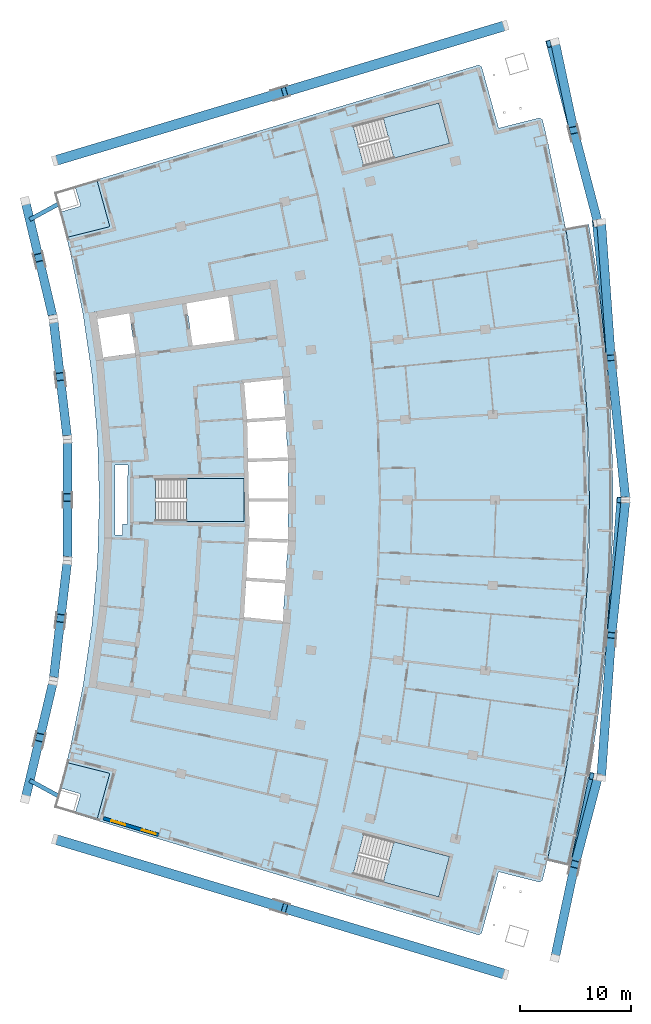
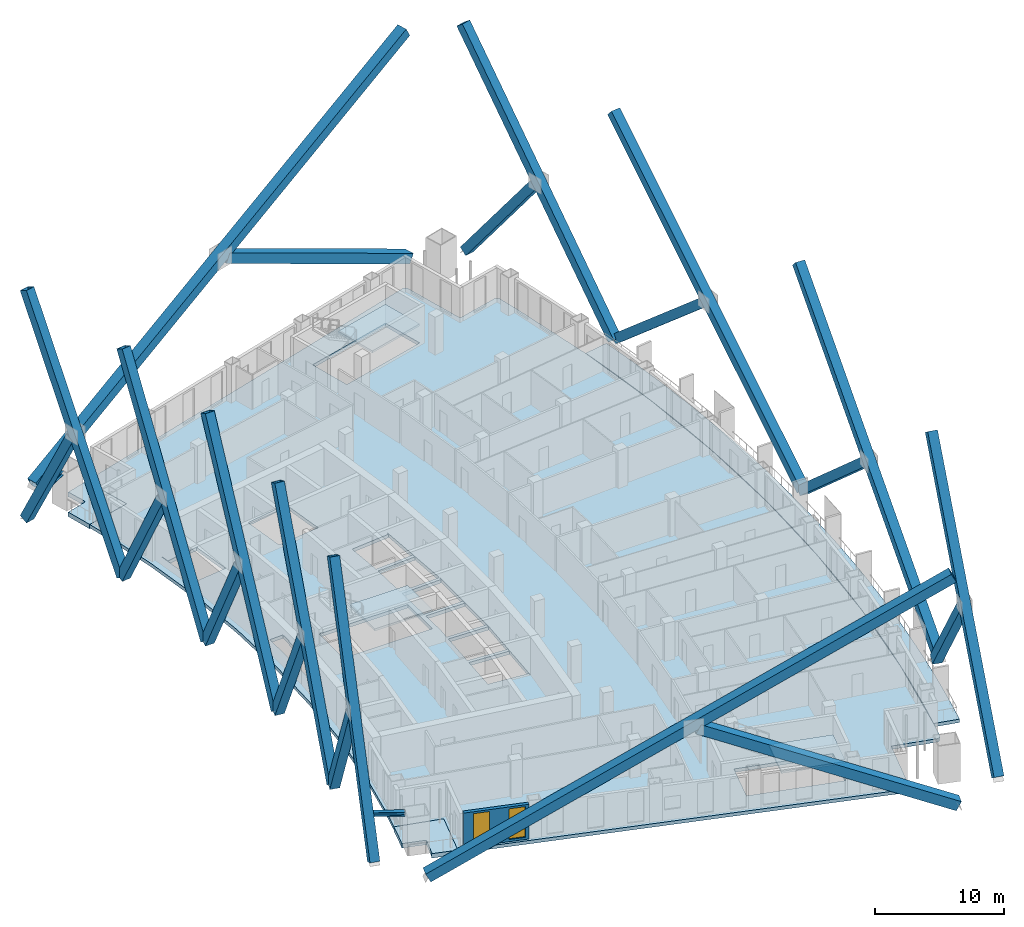
# One storey, part 10 of 22: 24 members, 7 slabs, 2 windows, 1 wall, 2 openings, 3 elements without a shape of their own.
"""IFC4 building model written with IfcOpenShell, lengths in metres."""

import ifcopenshell
import ifcopenshell.guid

model = None  # the IFC model being written
_history = None  # IfcOwnerHistory: only IFC2X3 demands one
_inside = {}  # id of a spatial element -> (the spatial element, [elements in it])
_under = {}  # id of a project, library or spatial element -> (it, [spatial elements below it])
_declared = {}  # id of a project -> (the project, [libraries it declares])
_typed = {}  # id of a type object -> (the type object, [elements of that type])
_made_of = {}  # id of a material, layer set ... -> (it, [elements and type objects made of it])


def new_model(schema):
    """Start an empty IFC model of exactly this schema.

    Asked for "IFC4X3", IfcOpenShell would pick the latest addendum, in which some entities
    have other attributes; the version numbers below select the first issue.
    IFC2X3 requires an IfcOwnerHistory on every rooted entity: one is made here for all.
    """
    global model, _history
    if schema == "IFC4X3":
        model = ifcopenshell.file(schema_version=(4, 3, 0, 0))
    else:
        model = ifcopenshell.file(schema=schema)
    _inside.clear()
    _under.clear()
    _declared.clear()
    _typed.clear()
    _made_of.clear()
    _history = None
    if model.schema == "IFC2X3":
        org = make("IfcOrganization", Name="unknown")
        user = make(
            "IfcPersonAndOrganization",
            ThePerson=make("IfcPerson", FamilyName="unknown"),
            TheOrganization=org,
        )
        app = make(
            "IfcApplication",
            ApplicationDeveloper=org,
            Version="unknown",
            ApplicationFullName="unknown",
            ApplicationIdentifier="unknown",
        )
        _history = make(
            "IfcOwnerHistory",
            OwningUser=user,
            OwningApplication=app,
            ChangeAction="ADDED",
            CreationDate=0,
        )
    return model


def make(cls, **values):
    """One entity of the class cls with the attributes given. An attribute that is None is left unset."""
    return model.create_entity(
        cls, **{name: value for name, value in values.items() if value is not None}
    )


def rooted(cls, **values):
    """An entity with a GlobalId (a new one), such as an element, a storey or a relation."""
    return make(cls, GlobalId=ifcopenshell.guid.new(), OwnerHistory=_history, **values)


def si_unit(unit_type, name, prefix=None):
    """IfcSIUnit, for example si_unit("LENGTHUNIT", "METRE", prefix="MILLI")."""
    return make("IfcSIUnit", UnitType=unit_type, Prefix=prefix, Name=name)


def assignment(units):
    """IfcUnitAssignment: the units of a project."""
    return None if units is None else make("IfcUnitAssignment", Units=units)


def point(xyz):
    """IfcCartesianPoint."""
    return None if xyz is None else make("IfcCartesianPoint", Coordinates=xyz)


def direction(xyz):
    """IfcDirection."""
    return None if xyz is None else make("IfcDirection", DirectionRatios=xyz)


def frame(location, z_axis=None, x_axis=None):
    """IfcAxis2Placement3D, a coordinate frame: its origin and axes. An axis left out is left unset."""
    return make(
        "IfcAxis2Placement3D",
        Location=point(location),
        Axis=direction(z_axis),
        RefDirection=direction(x_axis),
    )


def frame_2d(location, x_axis=None):
    """IfcAxis2Placement2D, a coordinate frame in the plane: its origin and x axis."""
    return make(
        "IfcAxis2Placement2D", Location=point(location), RefDirection=direction(x_axis)
    )


def origin():
    """The frame at (0, 0, 0) with its axes left unset."""
    return frame((0.0, 0.0, 0.0))


def origin_2d():
    """The frame at (0, 0) in the plane with its x axis left unset."""
    return frame_2d((0.0, 0.0))


def place(relative_to, where):
    """IfcLocalPlacement: puts the frame where relative to a parent placement (None: the world)."""
    return make(
        "IfcLocalPlacement", PlacementRelTo=relative_to, RelativePlacement=where
    )


def context(
    kind, dimensions, precision=None, world=None, true_north=None, identifier=None
):
    """IfcGeometricRepresentationContext, for example the 3D "Model" context."""
    return make(
        "IfcGeometricRepresentationContext",
        ContextIdentifier=identifier,
        ContextType=kind,
        CoordinateSpaceDimension=dimensions,
        Precision=precision,
        WorldCoordinateSystem=world,
        TrueNorth=true_north,
    )


def subcontext(parent, identifier, kind, view, scale=None):
    """IfcGeometricRepresentationSubContext, for example "Body" below "Model"."""
    return make(
        "IfcGeometricRepresentationSubContext",
        ContextIdentifier=identifier,
        ContextType=kind,
        ParentContext=parent,
        TargetScale=scale,
        TargetView=view,
    )


def project(units=None, contexts=None):
    """IfcProject with its units and contexts."""
    return rooted(
        "IfcProject",
        Name="project",
        RepresentationContexts=contexts,
        UnitsInContext=assignment(units),
    )


def spatial(cls, under=None, at=None, **own):
    """A site, building, storey or space (cls), placed at a placement, below another one or the project."""
    s = rooted(cls, ObjectPlacement=at, **own)
    if under is not None:
        _under.setdefault(under.id(), (under, []))[1].append(s)
    return s


def polyline(points):
    """IfcPolyline through the points."""
    return make("IfcPolyline", Points=[point(p) for p in points])


def profile(cls, at=None, kind="AREA", **sizes):
    """A parametric profile (cls). Its sizes go by their IFC names, for example OverallWidth=200.0."""
    return make(cls, ProfileType=kind, Position=at, **sizes)


def rectangle(**sizes):
    """IfcRectangleProfileDef."""
    return profile("IfcRectangleProfileDef", **sizes)


def hollow_rectangle(**sizes):
    """IfcRectangleHollowProfileDef."""
    return profile("IfcRectangleHollowProfileDef", **sizes)


def i_section(**sizes):
    """IfcIShapeProfileDef."""
    return profile("IfcIShapeProfileDef", **sizes)


def outline(outer, holes=None, kind="AREA"):
    """IfcArbitraryClosedProfileDef: a profile drawn as a closed curve; with holes, ...WithVoids."""
    if holes is None:
        return make("IfcArbitraryClosedProfileDef", ProfileType=kind, OuterCurve=outer)
    return make(
        "IfcArbitraryProfileDefWithVoids",
        ProfileType=kind,
        OuterCurve=outer,
        InnerCurves=holes,
    )


def extrude(swept, where, along, depth):
    """IfcExtrudedAreaSolid: the profile swept, set in the frame where, extruded along a direction by depth."""
    return make(
        "IfcExtrudedAreaSolid",
        SweptArea=swept,
        Position=where,
        ExtrudedDirection=direction(along),
        Depth=depth,
    )


def shape(context_of_items, identifier, shape_type, items):
    """IfcShapeRepresentation: the items that make up one representation, for example the "Body"."""
    return make(
        "IfcShapeRepresentation",
        ContextOfItems=context_of_items,
        RepresentationIdentifier=identifier,
        RepresentationType=shape_type,
        Items=items,
    )


def material(Name=None, Category=None):
    """IfcMaterial."""
    return make("IfcMaterial", Name=Name, Category=Category)


def layer(
    of_material, thickness, ventilated=None, Name=None, Category=None, Priority=None
):
    """IfcMaterialLayer: one layer of a wall or slab, of a material (None: an air gap)."""
    return make(
        "IfcMaterialLayer",
        Material=of_material,
        LayerThickness=thickness,
        IsVentilated=ventilated,
        Name=Name,
        Category=Category,
        Priority=Priority,
    )


def layer_set(layers, Name=None):
    """IfcMaterialLayerSet."""
    return make("IfcMaterialLayerSet", MaterialLayers=layers, LayerSetName=Name)


def material_profile(
    of_material, cross_section, Name=None, Category=None, Priority=None
):
    """IfcMaterialProfile: a cross section and its material."""
    return make(
        "IfcMaterialProfile",
        Name=Name,
        Material=of_material,
        Profile=cross_section,
        Priority=Priority,
        Category=Category,
    )


def profile_set(profiles, Name=None, composite=None):
    """IfcMaterialProfileSet."""
    return make(
        "IfcMaterialProfileSet",
        Name=Name,
        MaterialProfiles=profiles,
        CompositeProfile=composite,
    )


def made_of(thing, what):
    """Note that an element or type object is made of a material, layer set ...; save() writes the relation."""
    if what is not None:
        _made_of.setdefault(what.id(), (what, []))[1].append(thing)
    return thing


def type_object(cls, material=None, **own):
    """A type object (cls), such as IfcWallType, which elements share."""
    return made_of(rooted(cls, **own), material)


def element(
    cls,
    number,
    at=None,
    inside=None,
    cuts=None,
    type_object=None,
    material=None,
    context=None,
    identifier="Body",
    shape_type=None,
    held_by="IfcProductDefinitionShape",
    body=None,
    shapes=None,
    **own,
):
    """One element of the class cls, such as IfcWall. Its Tag is "e" and its number.

    at: its placement. inside: the storey or other place that contains it. cuts: it is an
    opening in that element (IfcRelVoidsElement). A single representation is given by context,
    identifier, shape_type and body (its items); several are given by shapes. held_by: the class
    of the entity that holds the representations. save() writes the other relations.
    """
    e = rooted(cls, Tag="e%d" % number, ObjectPlacement=at, **own)
    if body is not None:
        shapes = [shape(context, identifier, shape_type, body)]
    if shapes is not None:
        e.Representation = make(held_by, Representations=shapes)
    if inside is not None:
        _inside.setdefault(inside.id(), (inside, []))[1].append(e)
    if cuts is not None:
        rooted(
            "IfcRelVoidsElement", RelatingBuildingElement=cuts, RelatedOpeningElement=e
        )
    if type_object is not None:
        _typed.setdefault(type_object.id(), (type_object, []))[1].append(e)
    return made_of(e, material)


def fill(opening, filler):
    """IfcRelFillsElement: the door or window that sits in an opening."""
    return rooted(
        "IfcRelFillsElement",
        RelatingOpeningElement=opening,
        RelatedBuildingElement=filler,
    )


def aggregate(whole, parts):
    """IfcRelAggregates: a whole, such as a stair, and the parts it consists of."""
    return rooted("IfcRelAggregates", RelatingObject=whole, RelatedObjects=parts)


def save(model, path):
    """Write the relations noted so far, then the file.

    IfcRelAggregates (storeys below a building ...), IfcRelContainedInSpatialStructure (elements
    in a storey), IfcRelDefinesByType, IfcRelAssociatesMaterial and IfcRelDeclares: one each for
    every whole, place, type object, material and project.
    """
    for whole, parts in _under.values():
        aggregate(whole, parts)
    for where, things in _inside.values():
        rooted(
            "IfcRelContainedInSpatialStructure",
            RelatedElements=things,
            RelatingStructure=where,
        )
    for kind, things in _typed.values():
        rooted("IfcRelDefinesByType", RelatedObjects=things, RelatingType=kind)
    for what, things in _made_of.values():
        rooted("IfcRelAssociatesMaterial", RelatedObjects=things, RelatingMaterial=what)
    for by, libraries in _declared.values():
        rooted("IfcRelDeclares", RelatingContext=by, RelatedDefinitions=libraries)
    model.write(path)


model = new_model("IFC4")

# Units and contexts
model_context = context("Model", 3, precision=1e-05, world=origin(), true_north=direction((0.0, 1.0)))
body_context = subcontext(model_context, "Body", "Model", "MODEL_VIEW")
ifc_project = project(units=[si_unit("LENGTHUNIT", "METRE"), si_unit("AREAUNIT", "SQUARE_METRE"), si_unit("VOLUMEUNIT", "CUBIC_METRE"), si_unit("PLANEANGLEUNIT", "RADIAN"), si_unit("MASSUNIT", "GRAM", prefix="KILO")], contexts=[model_context])

# Site, building, storey
site_placement = place(None, origin())
site = spatial("IfcSite", under=ifc_project, at=site_placement, CompositionType="ELEMENT")
building_placement = place(site_placement, origin())
building = spatial("IfcBuilding", under=site, at=building_placement, Name="Alderwake Tower", CompositionType="ELEMENT")
storey_placement = place(building_placement, frame((0.0, 0.0, 160.39990234375)))
storey = spatial("IfcBuildingStorey", under=building, at=storey_placement, Name="L39", CompositionType="ELEMENT", Elevation=160.39990234375)

# Members
ifc_material_1 = material(Name="Steel ASTM A992 Grade 50", Category="steel")
ifc_material_profile_1 = material_profile(ifc_material_1, i_section(OverallWidth=0.3740234375, OverallDepth=0.372314453125, WebThickness=0.016357421875, FlangeThickness=0.026123046875, at=origin_2d()), Name="W14X132")
ifc_profile_set_1 = profile_set([ifc_material_profile_1], Name="Steel ASTM A992 Grade 50")
member_type_1 = type_object("IfcMemberType", Name="Brace node stub W14X132", PredefinedType="MEMBER", material=ifc_profile_set_1)
for number, where, z_axis, x_axis, name in (
    (1, (12.305908203125, 34.4482421875, 3.393798828125), (-0.878617607104, 0.477526020743, 0.0), (-0.477526020743, -0.878617607104, 0.0), "Brace node stub BS.RR02-C0.1640"),
    (2, (12.305908203125, 87.5517578125, 3.393798828125), (-0.878617607104, -0.477526020743, 0.0), (0.477526020743, -0.878617607104, 0.0), "Brace node stub BS.RR12-C0.1640"),
):
    element("IfcMember", number, at=place(storey_placement, frame(where, z_axis=z_axis, x_axis=x_axis)), inside=storey, type_object=member_type_1, Name=name, PredefinedType="MEMBER", context=body_context, shape_type="SweptSolid", body=[
        extrude(i_section(OverallWidth=0.3740234375, OverallDepth=0.372314453125, WebThickness=0.016357421875, FlangeThickness=0.026123046875, at=origin_2d()), origin(), (0.0, 0.0, 1.0), 2.903564453125),
    ])
ifc_material_2 = material(Name="Steel ASTM A572 Grade 50", Category="steel")
ifc_material_profile_2 = material_profile(ifc_material_2, hollow_rectangle(XDim=0.89990234375, YDim=0.89990234375, WallThickness=0.054931640625, at=origin_2d()), Name="BOX 900X900X55")
ifc_profile_set_2 = profile_set([ifc_material_profile_2], Name="Steel ASTM A572 Grade 50")
member_type_2 = type_object("IfcMemberType", Name="Mega brace end Z3", PredefinedType="BRACE", material=ifc_profile_set_2)
member_1_placement = place(storey_placement, frame((12.031005859375, 30.550537109375, 0.0), z_axis=(0.850877396382, -0.255455723939, 0.459075189303), x_axis=(0.287546675671, 0.957766625703, 0.0)))
element("IfcMember", 3, at=member_1_placement, inside=storey, type_object=member_type_2, Name="Brace BRS3.2.0A", PredefinedType="BRACE", context=body_context, shape_type="SweptSolid", body=[
    extrude(hollow_rectangle(XDim=0.89990234375, YDim=0.89990234375, WallThickness=0.054931640625, at=origin_2d()), origin(), (0.0, 0.0, 1.0), 47.05126953125),
])
member_2_placement = place(storey_placement, frame((52.448974609375, 18.416015625, 0.0), z_axis=(-0.852571874721, 0.255964703714, 0.455635017188), x_axis=(-0.287546936295, -0.957766547457, 0.0)))
element("IfcMember", 4, at=member_2_placement, inside=storey, type_object=member_type_2, Name="Brace BRS3.2.0B1", PredefinedType="BRACE", context=body_context, shape_type="SweptSolid", body=[
    extrude(hollow_rectangle(XDim=0.89990234375, YDim=0.89990234375, WallThickness=0.054931640625, at=origin_2d()), origin(), (0.0, 0.0, 1.0), 23.258544921875),
])
member_3_placement = place(storey_placement, frame((12.031005859375, 91.449462890625, 0.0), z_axis=(0.850877396382, 0.255455723939, 0.459075189303), x_axis=(-0.287546675671, 0.957766625703, 0.0)))
element("IfcMember", 5, at=member_3_placement, inside=storey, type_object=member_type_2, Name="Brace BRN3.2.0A", PredefinedType="BRACE", context=body_context, shape_type="SweptSolid", body=[
    extrude(hollow_rectangle(XDim=0.89990234375, YDim=0.89990234375, WallThickness=0.054931640625, at=origin_2d()), origin(), (0.0, 0.0, 1.0), 47.05126953125),
])
member_4_placement = place(storey_placement, frame((52.448974609375, 103.583984375, 0.0), z_axis=(-0.852571874721, -0.255964703714, 0.455635017188), x_axis=(0.287546936295, -0.957766547457, 0.0)))
element("IfcMember", 6, at=member_4_placement, inside=storey, type_object=member_type_2, Name="Brace BRN3.2.0B1", PredefinedType="BRACE", context=body_context, shape_type="SweptSolid", body=[
    extrude(hollow_rectangle(XDim=0.89990234375, YDim=0.89990234375, WallThickness=0.054931640625, at=origin_2d()), origin(), (0.0, 0.0, 1.0), 23.258544921875),
])
ifc_material_3 = material(Name="Steel ASTM A572 Grade 50", Category="steel")
ifc_material_profile_3 = material_profile(ifc_material_3, hollow_rectangle(XDim=0.800048828125, YDim=0.800048828125, WallThickness=0.050048828125, at=origin_2d()), Name="BOX 800X800X50")
ifc_profile_set_3 = profile_set([ifc_material_profile_3], Name="Steel ASTM A572 Grade 50")
member_type_3 = type_object("IfcMemberType", Name="Mega brace face Z3", PredefinedType="BRACE", material=ifc_profile_set_3)
member_5_placement = place(storey_placement, frame((56.9013671875, 19.898193359375, 0.0), z_axis=(0.126844587386, 0.597142671495, 0.792042347688), x_axis=(-0.978174911348, 0.20778316296, 0.0)))
element("IfcMember", 7, at=member_5_placement, inside=storey, type_object=member_type_3, Name="Brace BRF3.2.2A", PredefinedType="BRACE", context=body_context, shape_type="SweptSolid", body=[
    extrude(hollow_rectangle(XDim=0.800048828125, YDim=0.800048828125, WallThickness=0.050048828125, at=origin_2d()), origin(), (0.0, 0.0, 1.0), 27.271484375),
])
member_6_placement = place(storey_placement, frame((60.7548828125, 36.11328125, 0.0), z_axis=(-0.155364402828, -0.590351541103, 0.792052372165), x_axis=(0.967071015871, -0.254506680193, 0.0)))
element("IfcMember", 8, at=member_6_placement, inside=storey, type_object=member_type_3, Name="Brace BRF3.2.2B1", PredefinedType="BRACE", context=body_context, shape_type="SweptSolid", body=[
    extrude(hollow_rectangle(XDim=0.800048828125, YDim=0.800048828125, WallThickness=0.050048828125, at=origin_2d()), origin(), (0.0, 0.0, 1.0), 13.24072265625),
])
member_7_placement = place(storey_placement, frame((61.048095703125, 36.0615234375, 0.0), z_axis=(0.054066074488, 0.754782202651, 0.653743593583), x_axis=(-0.997444305102, 0.071448290524, 0.0)))
element("IfcMember", 9, at=member_7_placement, inside=storey, type_object=member_type_3, Name="Brace BRF3.2.4A", PredefinedType="BRACE", context=body_context, shape_type="SweptSolid", body=[
    extrude(hollow_rectangle(XDim=0.800048828125, YDim=0.800048828125, WallThickness=0.050048828125, at=origin_2d()), origin(), (0.0, 0.0, 1.0), 33.04052734375),
])
member_8_placement = place(storey_placement, frame((63.23583984375, 61.0, 0.0), z_axis=(-0.078180965824, -0.75266769188, 0.653742366826), x_axis=(0.994648587114, -0.103315962721, 0.0)))
element("IfcMember", 10, at=member_8_placement, inside=storey, type_object=member_type_3, Name="Brace BRF3.2.4B1", PredefinedType="BRACE", context=body_context, shape_type="SweptSolid", body=[
    extrude(hollow_rectangle(XDim=0.800048828125, YDim=0.800048828125, WallThickness=0.050048828125, at=origin_2d()), origin(), (0.0, 0.0, 1.0), 16.13525390625),
])
member_9_placement = place(storey_placement, frame((63.23583984375, 61.0, 0.0), z_axis=(-0.07817661212, 0.752667869922, 0.653742682487), x_axis=(-0.994649180847, -0.103310246543, 0.0)))
element("IfcMember", 11, at=member_9_placement, inside=storey, type_object=member_type_3, Name="Brace BRF3.2.7A", PredefinedType="BRACE", context=body_context, shape_type="SweptSolid", body=[
    extrude(hollow_rectangle(XDim=0.800048828125, YDim=0.800048828125, WallThickness=0.050048828125, at=origin_2d()), origin(), (0.0, 0.0, 1.0), 33.040771484375),
])
member_10_placement = place(storey_placement, frame((61.048095703125, 85.9384765625, 0.0), z_axis=(0.054062331673, -0.754784593675, 0.653741142537), x_axis=(0.997444673707, 0.071443144478, 0.0)))
element("IfcMember", 12, at=member_10_placement, inside=storey, type_object=member_type_3, Name="Brace BRF3.2.7B1", PredefinedType="BRACE", context=body_context, shape_type="SweptSolid", body=[
    extrude(hollow_rectangle(XDim=0.800048828125, YDim=0.800048828125, WallThickness=0.050048828125, at=origin_2d()), origin(), (0.0, 0.0, 1.0), 16.13525390625),
])
member_11_placement = place(storey_placement, frame((60.7548828125, 85.88671875, 0.0), z_axis=(-0.15537592295, 0.590358679359, 0.792044791835), x_axis=(-0.967067128493, -0.254521450938, 0.0)))
element("IfcMember", 13, at=member_11_placement, inside=storey, type_object=member_type_3, Name="Brace BRF3.2.10A", PredefinedType="BRACE", context=body_context, shape_type="SweptSolid", body=[
    extrude(hollow_rectangle(XDim=0.800048828125, YDim=0.800048828125, WallThickness=0.050048828125, at=origin_2d()), origin(), (0.0, 0.0, 1.0), 27.271240234375),
])
member_12_placement = place(storey_placement, frame((56.9013671875, 102.101806640625, 0.0), z_axis=(0.126839251138, -0.597134634118, 0.792049261793), x_axis=(0.978176119571, 0.207777474959, 0.0)))
element("IfcMember", 14, at=member_12_placement, inside=storey, type_object=member_type_3, Name="Brace BRF3.2.10B1", PredefinedType="BRACE", context=body_context, shape_type="SweptSolid", body=[
    extrude(hollow_rectangle(XDim=0.800048828125, YDim=0.800048828125, WallThickness=0.050048828125, at=origin_2d()), origin(), (0.0, 0.0, 1.0), 13.24072265625),
])
member_13_placement = place(storey_placement, frame((9.359619140625, 34.171630859375, 0.0), z_axis=(0.104006014518, 0.437626782623, 0.893121239292), x_axis=(-0.972901726667, 0.23121900927, 0.0)))
element("IfcMember", 15, at=member_13_placement, inside=storey, type_object=member_type_3, Name="Brace BRR3.2.2A", PredefinedType="BRACE", context=body_context, shape_type="SweptSolid", body=[
    extrude(hollow_rectangle(XDim=0.800048828125, YDim=0.800048828125, WallThickness=0.050048828125, at=origin_2d()), origin(), (0.0, 0.0, 1.0), 24.18505859375),
])
member_14_placement = place(storey_placement, frame((11.875, 44.755615234375, 0.0), z_axis=(-0.104017010705, -0.437612768868, 0.893126825265), x_axis=(0.972894561236, -0.231249157223, 0.0)))
element("IfcMember", 16, at=member_14_placement, inside=storey, type_object=member_type_3, Name="Brace BRR3.2.2B1", PredefinedType="BRACE", context=body_context, shape_type="SweptSolid", body=[
    extrude(hollow_rectangle(XDim=0.800048828125, YDim=0.800048828125, WallThickness=0.050048828125, at=origin_2d()), origin(), (0.0, 0.0, 1.0), 11.592529296875),
])
member_15_placement = place(storey_placement, frame((11.875, 44.755615234375, 0.0), z_axis=(0.052361265351, 0.446761619557, 0.893119450679), x_axis=(-0.993201825706, 0.116405040331, 0.0)))
element("IfcMember", 17, at=member_15_placement, inside=storey, type_object=member_type_3, Name="Brace BRR3.2.4A", PredefinedType="BRACE", context=body_context, shape_type="SweptSolid", body=[
    extrude(hollow_rectangle(XDim=0.800048828125, YDim=0.800048828125, WallThickness=0.050048828125, at=origin_2d()), origin(), (0.0, 0.0, 1.0), 24.18505859375),
])
member_16_placement = place(storey_placement, frame((13.141357421875, 55.560546875, 0.0), z_axis=(-0.052376875702, -0.446751372848, 0.893123660951), x_axis=(0.993197504065, -0.116441907915, 0.0)))
element("IfcMember", 18, at=member_16_placement, inside=storey, type_object=member_type_3, Name="Brace BRR3.2.4B1", PredefinedType="BRACE", context=body_context, shape_type="SweptSolid", body=[
    extrude(hollow_rectangle(XDim=0.800048828125, YDim=0.800048828125, WallThickness=0.050048828125, at=origin_2d()), origin(), (0.0, 0.0, 1.0), 11.592529296875),
])
member_17_placement = place(storey_placement, frame((13.141357421875, 55.560546875, 0.0), z_axis=(0.0, 0.449820166102, 0.89311915116), x_axis=(-1.0, 0.0, 0.0)))
element("IfcMember", 19, at=member_17_placement, inside=storey, type_object=member_type_3, Name="Brace BRR3.2.6A", PredefinedType="BRACE", context=body_context, shape_type="SweptSolid", body=[
    extrude(hollow_rectangle(XDim=0.800048828125, YDim=0.800048828125, WallThickness=0.050048828125, at=origin_2d()), origin(), (0.0, 0.0, 1.0), 24.18505859375),
])
member_18_placement = place(storey_placement, frame((13.141357421875, 66.439453125, 0.0), z_axis=(0.0, -0.449823144453, 0.893117651105), x_axis=(1.0, 0.0, 0.0)))
element("IfcMember", 20, at=member_18_placement, inside=storey, type_object=member_type_3, Name="Brace BRR3.2.6B1", PredefinedType="BRACE", context=body_context, shape_type="SweptSolid", body=[
    extrude(hollow_rectangle(XDim=0.800048828125, YDim=0.800048828125, WallThickness=0.050048828125, at=origin_2d()), origin(), (0.0, 0.0, 1.0), 11.592529296875),
])
member_19_placement = place(storey_placement, frame((13.141357421875, 66.439453125, 0.0), z_axis=(-0.052361265351, 0.446761619557, 0.893119450679), x_axis=(-0.993201825706, -0.116405040331, 0.0)))
element("IfcMember", 21, at=member_19_placement, inside=storey, type_object=member_type_3, Name="Brace BRR3.2.8A", PredefinedType="BRACE", context=body_context, shape_type="SweptSolid", body=[
    extrude(hollow_rectangle(XDim=0.800048828125, YDim=0.800048828125, WallThickness=0.050048828125, at=origin_2d()), origin(), (0.0, 0.0, 1.0), 24.18505859375),
])
member_20_placement = place(storey_placement, frame((11.875, 77.244384765625, 0.0), z_axis=(0.052355380573, -0.446768722233, 0.893116242691), x_axis=(0.993203552049, 0.11639030972, 0.0)))
element("IfcMember", 22, at=member_20_placement, inside=storey, type_object=member_type_3, Name="Brace BRR3.2.8B1", PredefinedType="BRACE", context=body_context, shape_type="SweptSolid", body=[
    extrude(hollow_rectangle(XDim=0.800048828125, YDim=0.800048828125, WallThickness=0.050048828125, at=origin_2d()), origin(), (0.0, 0.0, 1.0), 11.592529296875),
])
member_21_placement = place(storey_placement, frame((11.875, 77.244384765625, 0.0), z_axis=(-0.104006014518, 0.437626782623, 0.893121239292), x_axis=(-0.972901726667, -0.23121900927, 0.0)))
element("IfcMember", 23, at=member_21_placement, inside=storey, type_object=member_type_3, Name="Brace BRR3.2.10A", PredefinedType="BRACE", context=body_context, shape_type="SweptSolid", body=[
    extrude(hollow_rectangle(XDim=0.800048828125, YDim=0.800048828125, WallThickness=0.050048828125, at=origin_2d()), origin(), (0.0, 0.0, 1.0), 24.18505859375),
])
member_22_placement = place(storey_placement, frame((9.359619140625, 87.828369140625, 0.0), z_axis=(0.10399521969, -0.437630754388, 0.893120550148), x_axis=(0.972907596897, 0.231194307674, 0.0)))
element("IfcMember", 24, at=member_22_placement, inside=storey, type_object=member_type_3, Name="Brace BRR3.2.10B1", PredefinedType="BRACE", context=body_context, shape_type="SweptSolid", body=[
    extrude(hollow_rectangle(XDim=0.800048828125, YDim=0.800048828125, WallThickness=0.050048828125, at=origin_2d()), origin(), (0.0, 0.0, 1.0), 11.592529296875),
])

# Slabs
ifc_material_4 = material(Name="Concrete C50/60", Category="concrete")
ifc_layer_1 = layer(ifc_material_4, 0.320068359375)
ifc_layer_set_1 = layer_set([ifc_layer_1], Name="Balcony slab 320")
slab_type_1 = type_object("IfcSlabType", Name="Balcony slab 320", PredefinedType="FLOOR", material=ifc_layer_set_1)
slab_1_placement = place(storey_placement, frame((0.0, 0.0, -0.31982421875)))
element("IfcSlab", 25, at=slab_1_placement, inside=storey, type_object=slab_type_1, Name="Balcony BF03", PredefinedType="FLOOR", context=body_context, shape_type="SweptSolid", body=[
    extrude(outline(polyline([(58.713623046875, 30.162841796875), (59.148681640625, 32.189208984375), (59.553955078125, 34.22119140625), (59.9296875, 36.25927734375), (60.275634765625, 38.302490234375), (60.591552734375, 40.3505859375), (60.877685546875, 42.40283203125), (61.134033203125, 44.459228515625), (61.360107421875, 46.51904296875), (61.556396484375, 48.58203125), (61.722412109375, 50.647705078125), (61.8583984375, 52.715576171875), (61.964111328125, 54.78515625), (62.03955078125, 56.85595703125), (62.0849609375, 58.927734375), (62.10009765625, 61.0), (62.0849609375, 63.072265625), (62.03955078125, 65.14404296875), (61.964111328125, 67.21484375), (61.8583984375, 69.284423828125), (61.722412109375, 71.352294921875), (61.556396484375, 73.41796875), (61.360107421875, 75.48095703125), (61.134033203125, 77.540771484375), (60.877685546875, 79.59716796875), (60.591552734375, 81.6494140625), (60.275634765625, 83.697509765625), (59.9296875, 85.74072265625), (57.86181640625, 85.375), (58.202392578125, 83.362060546875), (58.513916015625, 81.344482421875), (58.7958984375, 79.322265625), (59.04833984375, 77.29638671875), (59.271240234375, 75.266845703125), (59.46435546875, 73.234375), (59.6279296875, 71.19921875), (59.761962890625, 69.162109375), (59.865966796875, 67.123046875), (59.9404296875, 65.082763671875), (59.985107421875, 63.04150390625), (60.0, 61.0), (59.985107421875, 58.95849609375), (59.9404296875, 56.917236328125), (59.865966796875, 54.876953125), (59.761962890625, 52.837890625), (59.6279296875, 50.80078125), (59.46435546875, 48.765625), (59.271240234375, 46.733154296875), (59.04833984375, 44.70361328125), (58.7958984375, 42.677734375), (58.513916015625, 40.655517578125), (58.202392578125, 38.637939453125), (57.86181640625, 36.625), (57.49169921875, 34.616943359375), (57.09228515625, 32.61474609375), (56.663818359375, 30.61865234375), (56.2060546875, 28.62890625), (58.249267578125, 28.143310546875), (58.713623046875, 30.162841796875)])), origin(), (0.0, 0.0, 1.0), 0.31982421875),
])
ifc_material_5 = material(Name="Concrete C50/60", Category="concrete")
ifc_layer_2 = layer(ifc_material_5, 0.320068359375)
ifc_layer_set_2 = layer_set([ifc_layer_2], Name="Concrete C50/60 post-tensioned flat plate 320")
slab_type_2 = type_object("IfcSlabType", Name="Concrete C50/60 post-tensioned flat plate 320", PredefinedType="FLOOR", material=ifc_layer_set_2)
slab_2_placement = place(storey_placement, frame((0.0, 0.0, -0.31982421875)))
element("IfcSlab", 26, at=slab_2_placement, inside=storey, type_object=slab_type_2, Name="Floor slab L39", PredefinedType="FLOOR", context=body_context, shape_type="SweptSolid", body=[
    extrude(outline(polyline([(13.06494140625, 37.443115234375), (13.3984375, 38.802734375), (14.53369140625, 44.28564453125), (15.347412109375, 49.825439453125), (15.836669921875, 55.4033203125), (16.0, 61.0), (15.836669921875, 66.5966796875), (15.347412109375, 72.174560546875), (14.53369140625, 77.71435546875), (13.3984375, 83.197265625), (13.06494140625, 84.556884765625), (16.942626953125, 85.53857421875), (15.776611328125, 89.7548828125), (50.035888671875, 100.04052734375), (50.3173828125, 99.885009765625), (51.841796875, 94.372314453125), (55.49658203125, 95.297607421875), (55.7744140625, 95.130615234375), (56.2060546875, 93.37109375), (57.86181640625, 85.375), (59.04833984375, 77.29638671875), (59.761962890625, 69.162109375), (60.0, 61.0), (59.761962890625, 52.837890625), (59.04833984375, 44.70361328125), (57.86181640625, 36.625), (56.2060546875, 28.62890625), (55.7744140625, 26.869384765625), (55.49658203125, 26.702392578125), (51.841796875, 27.627685546875), (50.3173828125, 22.114990234375), (50.035888671875, 21.95947265625), (15.776611328125, 32.2451171875), (16.942626953125, 36.46142578125), (13.06494140625, 37.443115234375)]), holes=[polyline([(28.9853515625, 50.430908203125), (28.989013671875, 50.430419921875), (28.994140625, 50.485595703125), (32.447509765625, 50.147705078125), (32.432861328125, 49.998291015625), (32.462646484375, 49.995361328125), (32.701416015625, 53.660888671875), (32.940185546875, 57.32666015625), (32.940185546875, 61.0), (32.940185546875, 64.67333984375), (32.701416015625, 68.339111328125), (32.462646484375, 72.004638671875), (32.432861328125, 72.001708984375), (32.447509765625, 71.852294921875), (28.993896484375, 71.514404296875), (29.256591796875, 68.264892578125), (32.66162109375, 68.48681640625), (32.67138671875, 68.337158203125), (32.68115234375, 68.1875), (29.278564453125, 67.9658203125), (29.274169921875, 68.032470703125), (29.2705078125, 68.0322265625), (29.34423828125, 64.70654296875), (32.9052734375, 64.822265625), (32.91015625, 64.67236328125), (32.9150390625, 64.5224609375), (29.350830078125, 64.406494140625), (29.4228515625, 61.14990234375), (32.91015625, 61.14990234375), (32.91015625, 61.0), (32.91015625, 60.85009765625), (29.429443359375, 60.85009765625), (29.4765625, 58.72314453125), (29.409423828125, 57.591552734375), (32.9150390625, 57.4775390625), (32.91015625, 57.32763671875), (32.9052734375, 57.177734375), (29.395751953125, 57.291748046875), (29.39599609375, 57.3017578125), (29.392333984375, 57.302001953125), (29.198974609375, 54.039306640625), (32.68115234375, 53.8125), (32.67138671875, 53.662841796875), (32.66162109375, 53.51318359375), (29.181396484375, 53.739990234375), (28.9853515625, 50.430908203125)]), polyline([(21.050048828125, 62.875), (21.050048828125, 59.125), (29.0, 59.125), (29.0, 62.875), (21.050048828125, 62.875)]), polyline([(15.739013671875, 77.927490234375), (15.5361328125, 77.8916015625), (15.536865234375, 77.887939453125), (15.716796875, 77.91552734375), (16.379150390625, 73.605712890625), (16.4091796875, 73.609619140625), (16.38330078125, 73.80810546875), (19.224853515625, 74.1796875), (18.689697265625, 77.74365234375), (18.885986328125, 77.773193359375), (18.8837890625, 77.787109375), (15.854248046875, 77.261962890625), (15.739013671875, 77.927490234375)]), polyline([(27.555419921875, 79.29052734375), (23.811767578125, 78.6416015625), (24.384033203125, 74.8583984375), (24.373291015625, 74.856689453125), (24.373779296875, 74.85302734375), (28.152587890625, 75.347412109375), (27.555419921875, 79.29052734375)]), polyline([(47.436279296875, 28.996826171875), (39.754150390625, 31.043212890625), (38.7890625, 27.41943359375), (46.47119140625, 25.373291015625), (47.436279296875, 28.996826171875)]), polyline([(46.47119140625, 96.626708984375), (38.7890625, 94.58056640625), (39.754150390625, 90.956787109375), (47.436279296875, 93.003173828125), (46.47119140625, 96.626708984375)]), polyline([(17.389404296875, 64.1220703125), (17.389404296875, 57.8779296875), (18.06298828125, 57.85400390625), (18.090576171875, 58.84375), (18.544189453125, 58.831298828125), (18.529296875, 58.8681640625), (18.5234375, 58.891845703125), (18.5185546875, 58.940673828125), (18.5185546875, 63.060302734375), (18.5234375, 63.109130859375), (18.53759765625, 63.156005859375), (18.560791015625, 63.19921875), (18.588623046875, 63.2333984375), (18.562744140625, 64.16357421875), (17.389404296875, 64.1220703125)])]), origin(), (0.0, 0.0, 1.0), 0.31982421875),
])

# Stair, slab
ifc_material_6 = material(Name="Concrete C40/50", Category="concrete")
stair_type = type_object("IfcStairType", Name="Core exit stair", PredefinedType="HALF_TURN_STAIR", material=ifc_material_6)
stair_1_placement = place(storey_placement, origin())
stair_1 = element("IfcStair", 27, at=stair_1_placement, inside=storey, type_object=stair_type, Name="L39 Exit Stair B", PredefinedType="HALF_TURN_STAIR")
ifc_material_7 = material(Name="Concrete C40/50", Category="concrete")
ifc_layer_3 = layer(ifc_material_7, 0.199951171875)
ifc_layer_set_3 = layer_set([ifc_layer_3], Name="Core stair landing 200")
slab_type_3 = type_object("IfcSlabType", Name="Core stair landing 200", PredefinedType="LANDING", material=ifc_layer_set_3)
slab_3_placement = place(storey_placement, frame((0.0, 0.0, 1.60009765625)))
slab_3 = element("IfcSlab", 28, at=slab_3_placement, type_object=slab_type_3, Name="ST-B landing 1", PredefinedType="LANDING", context=body_context, shape_type="SweptSolid", body=[
    extrude(outline(polyline([(23.830078125, 59.074951171875), (29.0, 59.074951171875), (29.0, 62.925048828125), (23.830078125, 62.925048828125), (23.830078125, 59.074951171875)])), origin(), (0.0, 0.0, 1.0), 0.199951171875),
])
aggregate(stair_1, [slab_3])

stair_2_placement = place(storey_placement, origin())
stair_2 = element("IfcStair", 29, at=stair_2_placement, inside=storey, type_object=stair_type, Name="L39 Exit Stair A", PredefinedType="HALF_TURN_STAIR")
slab_4_placement = place(storey_placement, frame((0.0, 0.0, 1.60009765625)))
slab_4 = element("IfcSlab", 30, at=slab_4_placement, type_object=slab_type_3, Name="ST-A landing 1", PredefinedType="LANDING", context=body_context, shape_type="SweptSolid", body=[
    extrude(outline(polyline([(42.440673828125, 91.67236328125), (47.436279296875, 93.003173828125), (46.47119140625, 96.626708984375), (41.475341796875, 95.296142578125), (42.440673828125, 91.67236328125)])), origin(), (0.0, 0.0, 1.0), 0.199951171875),
])
aggregate(stair_2, [slab_4])

stair_3_placement = place(storey_placement, origin())
stair_3 = element("IfcStair", 31, at=stair_3_placement, inside=storey, type_object=stair_type, Name="L39 Exit Stair C", PredefinedType="HALF_TURN_STAIR")
slab_5_placement = place(storey_placement, frame((0.0, 0.0, 1.60009765625)))
slab_5 = element("IfcSlab", 32, at=slab_5_placement, type_object=slab_type_3, Name="ST-C landing 1", PredefinedType="LANDING", context=body_context, shape_type="SweptSolid", body=[
    extrude(outline(polyline([(41.475341796875, 26.703857421875), (46.47119140625, 25.373291015625), (47.436279296875, 28.996826171875), (42.4404296875, 30.32763671875), (41.475341796875, 26.703857421875)])), origin(), (0.0, 0.0, 1.0), 0.199951171875),
])
aggregate(stair_3, [slab_5])

# Slabs
ifc_material_8 = material(Name="Concrete C50/60", Category="concrete")
ifc_layer_4 = layer(ifc_material_8, 0.419921875)
ifc_layer_set_4 = layer_set([ifc_layer_4], Name="Terrace slab 420")
slab_type_4 = type_object("IfcSlabType", Name="Terrace slab 420", PredefinedType="FLOOR", material=ifc_layer_set_4)
slab_6_placement = place(storey_placement, frame((0.0, 0.0, -0.419921875)))
element("IfcSlab", 33, at=slab_6_placement, inside=storey, type_object=slab_type_4, Name="Corner terrace RS", PredefinedType="FLOOR", context=body_context, shape_type="SweptSolid", body=[
    extrude(outline(polyline([(15.776611328125, 32.2451171875), (13.768798828125, 32.847900390625), (13.77685546875, 32.851806640625), (13.789306640625, 32.859619140625), (13.801025390625, 32.868408203125), (13.81201171875, 32.878662109375), (13.82177734375, 32.8896484375), (13.830322265625, 32.901611328125), (13.837646484375, 32.914306640625), (13.84375, 32.927490234375), (13.8486328125, 32.94140625), (14.29443359375, 34.478271484375), (14.2978515625, 34.492431640625), (14.2998046875, 34.507080078125), (14.30029296875, 34.521728515625), (14.29931640625, 34.53662109375), (14.297119140625, 34.551025390625), (14.29345703125, 34.565185546875), (14.2880859375, 34.5791015625), (14.28173828125, 34.59228515625), (14.27392578125, 34.604736328125), (14.26513671875, 34.616455078125), (14.255126953125, 34.627197265625), (14.244140625, 34.63720703125), (14.232177734375, 34.645751953125), (14.219482421875, 34.653076171875), (14.2060546875, 34.6591796875), (14.192138671875, 34.6640625), (12.46337890625, 35.16552734375), (12.456787109375, 35.1669921875), (12.71142578125, 36.08837890625), (13.06494140625, 37.443115234375), (16.942626953125, 36.46142578125), (15.776611328125, 32.2451171875)])), origin(), (0.0, 0.0, 1.0), 0.419921875),
])
slab_7_placement = place(storey_placement, frame((0.0, 0.0, -0.419921875)))
element("IfcSlab", 34, at=slab_7_placement, inside=storey, type_object=slab_type_4, Name="Corner terrace RN", PredefinedType="FLOOR", context=body_context, shape_type="SweptSolid", body=[
    extrude(outline(polyline([(12.456787109375, 86.8330078125), (12.46337890625, 86.83447265625), (14.192138671875, 87.3359375), (14.2060546875, 87.3408203125), (14.219482421875, 87.346923828125), (14.232177734375, 87.354248046875), (14.244140625, 87.36279296875), (14.255126953125, 87.372802734375), (14.26513671875, 87.383544921875), (14.27392578125, 87.395263671875), (14.28173828125, 87.40771484375), (14.2880859375, 87.4208984375), (14.29345703125, 87.434814453125), (14.297119140625, 87.448974609375), (14.29931640625, 87.46337890625), (14.30029296875, 87.478271484375), (14.2998046875, 87.492919921875), (14.2978515625, 87.507568359375), (14.29443359375, 87.521728515625), (13.8486328125, 89.05859375), (13.84375, 89.072509765625), (13.837646484375, 89.085693359375), (13.830322265625, 89.098388671875), (13.82177734375, 89.1103515625), (13.81201171875, 89.121337890625), (13.801025390625, 89.131591796875), (13.789306640625, 89.140380859375), (13.77685546875, 89.148193359375), (13.768798828125, 89.152099609375), (15.776611328125, 89.7548828125), (16.942626953125, 85.53857421875), (13.06494140625, 84.556884765625), (12.71142578125, 85.91162109375), (12.456787109375, 86.8330078125)])), origin(), (0.0, 0.0, 1.0), 0.419921875),
])

# Wall, openings, windows
ifc_material_9 = material(Name="Bronze metal cladding on lightweight framing")
ifc_layer_5 = layer(ifc_material_9, 0.300048828125)
ifc_layer_set_5 = layer_set([ifc_layer_5], Name="External wall EW2 bronze metal cladding")
wall_type = type_object("IfcWallType", Name="External wall EW2 bronze metal cladding", PredefinedType="SOLIDWALL", material=ifc_layer_set_5)
wall_placement = place(storey_placement, frame((16.352783203125, 32.4375, 0.0), z_axis=(0.0, 0.0, 1.0), x_axis=(0.95776681843, -0.287546033732, 0.0)))
wall = element("IfcWall", 35, at=wall_placement, inside=storey, type_object=wall_type, Name="External wall 4", PredefinedType="SOLIDWALL", context=body_context, shape_type="SweptSolid", body=[
    extrude(rectangle(XDim=5.199462890625, YDim=0.300048828125, at=frame_2d((2.599609375, 0.0))), origin(), (0.0, 0.0, 1.0), 3.280029296875),
])
opening_1_placement = place(wall_placement, frame((0.775390625, 0.0, 0.199951171875)))
opening_1 = element("IfcOpeningElement", 36, at=opening_1_placement, cuts=wall, Name="Opening W1", PredefinedType="OPENING", context=body_context, shape_type="SweptSolid", body=[
    extrude(rectangle(XDim=1.300048828125, YDim=2.89990234375, at=frame_2d((0.64990234375, 1.449951171875))), frame((0.0, 0.159912109375, 0.0), z_axis=(0.0, -1.0, 0.0), x_axis=(1.0, 0.0, 0.0)), (0.0, 0.0, 1.0), 0.320068359375),
])
opening_2_placement = place(wall_placement, frame((3.626220703125, 0.0, 0.199951171875)))
opening_2 = element("IfcOpeningElement", 37, at=opening_2_placement, cuts=wall, Name="Opening W1", PredefinedType="OPENING", context=body_context, shape_type="SweptSolid", body=[
    extrude(rectangle(XDim=1.300048828125, YDim=2.89990234375, at=frame_2d((0.64990234375, 1.449951171875))), frame((0.0, 0.159912109375, 0.0), z_axis=(0.0, -1.0, 0.0), x_axis=(1.0, 0.0, 0.0)), (0.0, 0.0, 1.0), 0.320068359375),
])
ifc_material_10 = material(Name="Bronze tinted glass in aluminium frame", Category="aluminium")
window_type = type_object("IfcWindowType", Name="Window W1 tall fixed and vent", PartitioningType="DOUBLE_PANEL_VERTICAL", PredefinedType="WINDOW", material=ifc_material_10)
window_1_placement = place(opening_1_placement, origin())
window_1 = element("IfcWindow", 38, at=window_1_placement, inside=storey, type_object=window_type, Name="Window W1 tall fixed and vent", OverallHeight=2.89990234375, OverallWidth=1.300048828125, PartitioningType="DOUBLE_PANEL_VERTICAL", PredefinedType="WINDOW", context=body_context, shape_type="SweptSolid", body=[
    extrude(rectangle(XDim=1.300048828125, YDim=2.89990234375, at=frame_2d((0.64990234375, 1.449951171875))), frame((0.0, 0.030029296875, 0.0), z_axis=(0.0, -1.0, 0.0), x_axis=(1.0, 0.0, 0.0)), (0.0, 0.0, 1.0), 0.06005859375),
])
fill(opening_1, window_1)
window_2_placement = place(opening_2_placement, origin())
window_2 = element("IfcWindow", 39, at=window_2_placement, inside=storey, type_object=window_type, Name="Window W1 tall fixed and vent", OverallHeight=2.89990234375, OverallWidth=1.300048828125, PartitioningType="DOUBLE_PANEL_VERTICAL", PredefinedType="WINDOW", context=body_context, shape_type="SweptSolid", body=[
    extrude(rectangle(XDim=1.300048828125, YDim=2.89990234375, at=frame_2d((0.64990234375, 1.449951171875))), frame((0.0, 0.030029296875, 0.0), z_axis=(0.0, -1.0, 0.0), x_axis=(1.0, 0.0, 0.0)), (0.0, 0.0, 1.0), 0.06005859375),
])
fill(opening_2, window_2)

save(model, "model.ifc")
